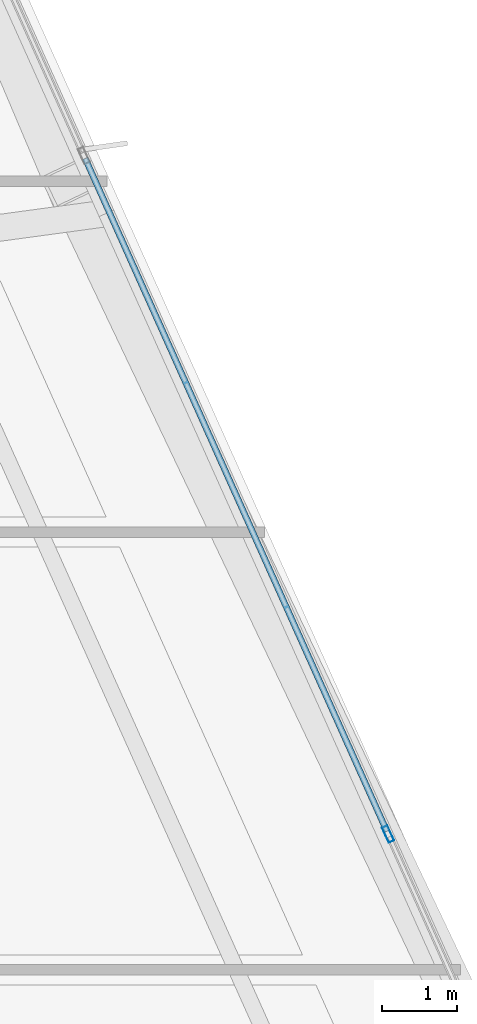
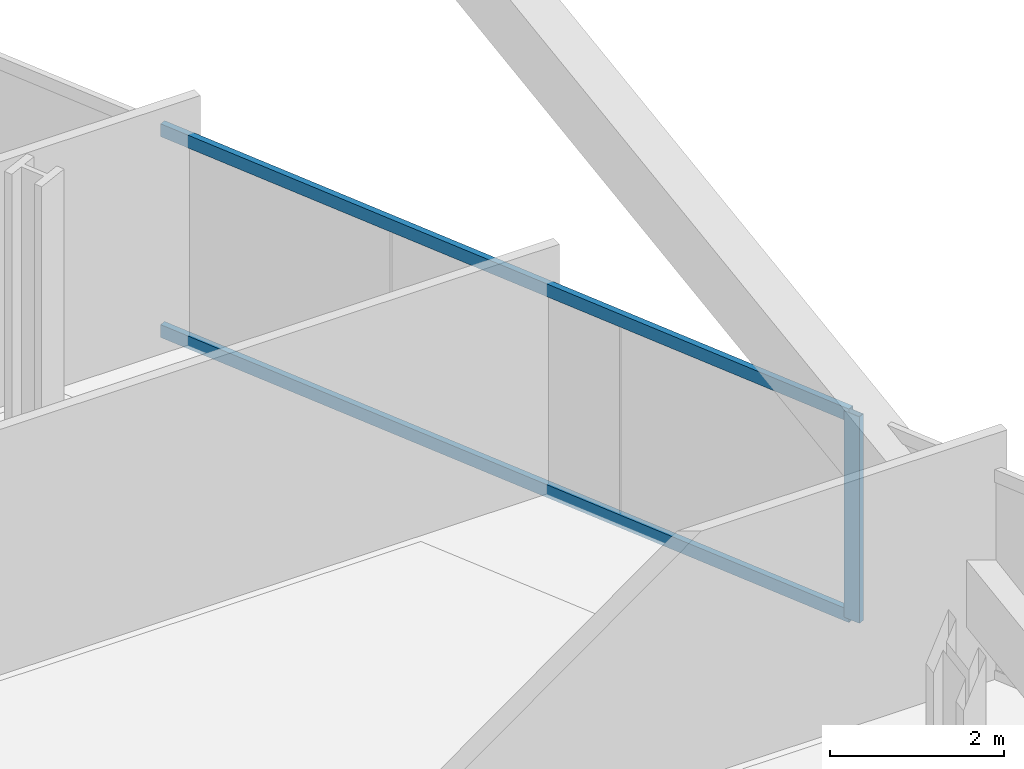
# One storey, part 20 of 38: 3 members, 1 element without a shape of its own.
"""IFC4 building model written with IfcOpenShell, lengths in metres."""

import ifcopenshell
import ifcopenshell.guid

model = None  # the IFC model being written
_history = None  # IfcOwnerHistory: only IFC2X3 demands one
_inside = {}  # id of a spatial element -> (the spatial element, [elements in it])
_under = {}  # id of a project, library or spatial element -> (it, [spatial elements below it])
_declared = {}  # id of a project -> (the project, [libraries it declares])
_typed = {}  # id of a type object -> (the type object, [elements of that type])
_made_of = {}  # id of a material, layer set ... -> (it, [elements and type objects made of it])


def new_model(schema):
    """Start an empty IFC model of exactly this schema.

    Asked for "IFC4X3", IfcOpenShell would pick the latest addendum, in which some entities
    have other attributes; the version numbers below select the first issue.
    IFC2X3 requires an IfcOwnerHistory on every rooted entity: one is made here for all.
    """
    global model, _history
    if schema == "IFC4X3":
        model = ifcopenshell.file(schema_version=(4, 3, 0, 0))
    else:
        model = ifcopenshell.file(schema=schema)
    _inside.clear()
    _under.clear()
    _declared.clear()
    _typed.clear()
    _made_of.clear()
    _history = None
    if model.schema == "IFC2X3":
        org = make("IfcOrganization", Name="unknown")
        user = make(
            "IfcPersonAndOrganization",
            ThePerson=make("IfcPerson", FamilyName="unknown"),
            TheOrganization=org,
        )
        app = make(
            "IfcApplication",
            ApplicationDeveloper=org,
            Version="unknown",
            ApplicationFullName="unknown",
            ApplicationIdentifier="unknown",
        )
        _history = make(
            "IfcOwnerHistory",
            OwningUser=user,
            OwningApplication=app,
            ChangeAction="ADDED",
            CreationDate=0,
        )
    return model


def make(cls, **values):
    """One entity of the class cls with the attributes given. An attribute that is None is left unset."""
    return model.create_entity(
        cls, **{name: value for name, value in values.items() if value is not None}
    )


def rooted(cls, **values):
    """An entity with a GlobalId (a new one), such as an element, a storey or a relation."""
    return make(cls, GlobalId=ifcopenshell.guid.new(), OwnerHistory=_history, **values)


def si_unit(unit_type, name, prefix=None):
    """IfcSIUnit, for example si_unit("LENGTHUNIT", "METRE", prefix="MILLI")."""
    return make("IfcSIUnit", UnitType=unit_type, Prefix=prefix, Name=name)


def assignment(units):
    """IfcUnitAssignment: the units of a project."""
    return None if units is None else make("IfcUnitAssignment", Units=units)


def point(xyz):
    """IfcCartesianPoint."""
    return None if xyz is None else make("IfcCartesianPoint", Coordinates=xyz)


def direction(xyz):
    """IfcDirection."""
    return None if xyz is None else make("IfcDirection", DirectionRatios=xyz)


def frame(location, z_axis=None, x_axis=None):
    """IfcAxis2Placement3D, a coordinate frame: its origin and axes. An axis left out is left unset."""
    return make(
        "IfcAxis2Placement3D",
        Location=point(location),
        Axis=direction(z_axis),
        RefDirection=direction(x_axis),
    )


def frame_2d(location, x_axis=None):
    """IfcAxis2Placement2D, a coordinate frame in the plane: its origin and x axis."""
    return make(
        "IfcAxis2Placement2D", Location=point(location), RefDirection=direction(x_axis)
    )


def origin():
    """The frame at (0, 0, 0) with its axes left unset."""
    return frame((0.0, 0.0, 0.0))


def origin_2d():
    """The frame at (0, 0) in the plane with its x axis left unset."""
    return frame_2d((0.0, 0.0))


def place(relative_to, where):
    """IfcLocalPlacement: puts the frame where relative to a parent placement (None: the world)."""
    return make(
        "IfcLocalPlacement", PlacementRelTo=relative_to, RelativePlacement=where
    )


def context(
    kind, dimensions, precision=None, world=None, true_north=None, identifier=None
):
    """IfcGeometricRepresentationContext, for example the 3D "Model" context."""
    return make(
        "IfcGeometricRepresentationContext",
        ContextIdentifier=identifier,
        ContextType=kind,
        CoordinateSpaceDimension=dimensions,
        Precision=precision,
        WorldCoordinateSystem=world,
        TrueNorth=true_north,
    )


def subcontext(parent, identifier, kind, view, scale=None):
    """IfcGeometricRepresentationSubContext, for example "Body" below "Model"."""
    return make(
        "IfcGeometricRepresentationSubContext",
        ContextIdentifier=identifier,
        ContextType=kind,
        ParentContext=parent,
        TargetScale=scale,
        TargetView=view,
    )


def project(units=None, contexts=None):
    """IfcProject with its units and contexts."""
    return rooted(
        "IfcProject",
        Name="project",
        RepresentationContexts=contexts,
        UnitsInContext=assignment(units),
    )


def spatial(cls, under=None, at=None, **own):
    """A site, building, storey or space (cls), placed at a placement, below another one or the project."""
    s = rooted(cls, ObjectPlacement=at, **own)
    if under is not None:
        _under.setdefault(under.id(), (under, []))[1].append(s)
    return s


def profile(cls, at=None, kind="AREA", **sizes):
    """A parametric profile (cls). Its sizes go by their IFC names, for example OverallWidth=200.0."""
    return make(cls, ProfileType=kind, Position=at, **sizes)


def hollow_rectangle(**sizes):
    """IfcRectangleHollowProfileDef."""
    return profile("IfcRectangleHollowProfileDef", **sizes)


def extrude(swept, where, along, depth):
    """IfcExtrudedAreaSolid: the profile swept, set in the frame where, extruded along a direction by depth."""
    return make(
        "IfcExtrudedAreaSolid",
        SweptArea=swept,
        Position=where,
        ExtrudedDirection=direction(along),
        Depth=depth,
    )


def shape(context_of_items, identifier, shape_type, items):
    """IfcShapeRepresentation: the items that make up one representation, for example the "Body"."""
    return make(
        "IfcShapeRepresentation",
        ContextOfItems=context_of_items,
        RepresentationIdentifier=identifier,
        RepresentationType=shape_type,
        Items=items,
    )


def material(Name=None, Category=None):
    """IfcMaterial."""
    return make("IfcMaterial", Name=Name, Category=Category)


def material_profile(
    of_material, cross_section, Name=None, Category=None, Priority=None
):
    """IfcMaterialProfile: a cross section and its material."""
    return make(
        "IfcMaterialProfile",
        Name=Name,
        Material=of_material,
        Profile=cross_section,
        Priority=Priority,
        Category=Category,
    )


def profile_set(profiles, Name=None, composite=None):
    """IfcMaterialProfileSet."""
    return make(
        "IfcMaterialProfileSet",
        Name=Name,
        MaterialProfiles=profiles,
        CompositeProfile=composite,
    )


def made_of(thing, what):
    """Note that an element or type object is made of a material, layer set ...; save() writes the relation."""
    if what is not None:
        _made_of.setdefault(what.id(), (what, []))[1].append(thing)
    return thing


def type_object(cls, material=None, **own):
    """A type object (cls), such as IfcWallType, which elements share."""
    return made_of(rooted(cls, **own), material)


def element(
    cls,
    number,
    at=None,
    inside=None,
    cuts=None,
    type_object=None,
    material=None,
    context=None,
    identifier="Body",
    shape_type=None,
    held_by="IfcProductDefinitionShape",
    body=None,
    shapes=None,
    **own,
):
    """One element of the class cls, such as IfcWall. Its Tag is "e" and its number.

    at: its placement. inside: the storey or other place that contains it. cuts: it is an
    opening in that element (IfcRelVoidsElement). A single representation is given by context,
    identifier, shape_type and body (its items); several are given by shapes. held_by: the class
    of the entity that holds the representations. save() writes the other relations.
    """
    e = rooted(cls, Tag="e%d" % number, ObjectPlacement=at, **own)
    if body is not None:
        shapes = [shape(context, identifier, shape_type, body)]
    if shapes is not None:
        e.Representation = make(held_by, Representations=shapes)
    if inside is not None:
        _inside.setdefault(inside.id(), (inside, []))[1].append(e)
    if cuts is not None:
        rooted(
            "IfcRelVoidsElement", RelatingBuildingElement=cuts, RelatedOpeningElement=e
        )
    if type_object is not None:
        _typed.setdefault(type_object.id(), (type_object, []))[1].append(e)
    return made_of(e, material)


def aggregate(whole, parts):
    """IfcRelAggregates: a whole, such as a stair, and the parts it consists of."""
    return rooted("IfcRelAggregates", RelatingObject=whole, RelatedObjects=parts)


def save(model, path):
    """Write the relations noted so far, then the file.

    IfcRelAggregates (storeys below a building ...), IfcRelContainedInSpatialStructure (elements
    in a storey), IfcRelDefinesByType, IfcRelAssociatesMaterial and IfcRelDeclares: one each for
    every whole, place, type object, material and project.
    """
    for whole, parts in _under.values():
        aggregate(whole, parts)
    for where, things in _inside.values():
        rooted(
            "IfcRelContainedInSpatialStructure",
            RelatedElements=things,
            RelatingStructure=where,
        )
    for kind, things in _typed.values():
        rooted("IfcRelDefinesByType", RelatedObjects=things, RelatingType=kind)
    for what, things in _made_of.values():
        rooted("IfcRelAssociatesMaterial", RelatedObjects=things, RelatingMaterial=what)
    for by, libraries in _declared.values():
        rooted("IfcRelDeclares", RelatingContext=by, RelatedDefinitions=libraries)
    model.write(path)


model = new_model("IFC4")

# Units and contexts
model_context = context("Model", 3, precision=1e-05, world=origin(), true_north=direction((0.0, 1.0)))
body_context = subcontext(model_context, "Body", "Model", "MODEL_VIEW")
ifc_project = project(units=[si_unit("LENGTHUNIT", "METRE"), si_unit("AREAUNIT", "SQUARE_METRE"), si_unit("VOLUMEUNIT", "CUBIC_METRE"), si_unit("PLANEANGLEUNIT", "RADIAN"), si_unit("MASSUNIT", "GRAM", prefix="KILO")], contexts=[model_context])

# Site, building, storey
site_placement = place(None, origin())
site = spatial("IfcSite", under=ifc_project, at=site_placement, CompositionType="ELEMENT")
building_placement = place(site_placement, origin())
building = spatial("IfcBuilding", under=site, at=building_placement, Name="Haldenkirk Collegiate Tower", CompositionType="ELEMENT")
storey_placement = place(building_placement, frame((0.0, 0.0, 109.199951171875)))
storey = spatial("IfcBuildingStorey", under=building, at=storey_placement, Name="L26", CompositionType="ELEMENT", Elevation=109.199951171875)

# Curtain wall, members
ifc_material = material(Name="Anodised architectural bronze aluminium", Category="aluminium")
curtain_wall_type = type_object("IfcCurtainWallType", Name="CW-SYS1-CONVEX-LOW", PredefinedType="USERDEFINED", material=ifc_material)
curtain_wall_placement = place(storey_placement, origin())
curtain_wall = element("IfcCurtainWall", 1, at=curtain_wall_placement, inside=storey, type_object=curtain_wall_type, Name="L26 Lower tower convex bronze-framed unitised curtain wall", ObjectType="UNITISED CURTAIN WALL", PredefinedType="USERDEFINED")
ifc_material_profile_1 = material_profile(ifc_material, hollow_rectangle(XDim=0.080078125, YDim=0.219970703125, WallThickness=0.0048828125, at=origin_2d()), Name="CW-MUL-1A")
ifc_profile_set_1 = profile_set([ifc_material_profile_1], Name="Anodised architectural bronze aluminium")
member_type_1 = type_object("IfcMemberType", Name="CW-MUL-1A", PredefinedType="MULLION", material=ifc_profile_set_1)
member_1_placement = place(storey_placement, frame((63.599609375, 27.79931640625, 0.0), z_axis=(0.0, 0.0, 1.0), x_axis=(0.912476490018, 0.409129142403, 0.0)))
member_1 = element("IfcMember", 2, at=member_1_placement, type_object=member_type_1, Name="CW-1A mullion 4", PredefinedType="MULLION", context=body_context, shape_type="SweptSolid", body=[
    extrude(hollow_rectangle(XDim=0.080078125, YDim=0.219970703125, WallThickness=0.0048828125, at=origin_2d()), origin(), (0.0, 0.0, 1.0), 2.901123046875),
])
ifc_material_profile_2 = material_profile(ifc_material, hollow_rectangle(XDim=0.080078125, YDim=0.179931640625, WallThickness=0.0048828125, at=origin_2d()), Name="CW-TRN-1A")
ifc_profile_set_2 = profile_set([ifc_material_profile_2], Name="Anodised architectural bronze aluminium")
member_type_2 = type_object("IfcMemberType", Name="CW-TRN-1A", PredefinedType="USERDEFINED", material=ifc_profile_set_2)
member_2_placement = place(storey_placement, frame((59.5859375, 36.75048828125, 0.0400390625), z_axis=(0.409143437623, -0.912470080304, 0.0), x_axis=(0.912470080304, 0.409143437623, 0.0)))
member_2 = element("IfcMember", 3, at=member_2_placement, type_object=member_type_2, Name="CW-1A transom 3.1", ObjectType="TRANSOM", PredefinedType="USERDEFINED", context=body_context, shape_type="SweptSolid", body=[
    extrude(hollow_rectangle(XDim=0.080078125, YDim=0.179931640625, WallThickness=0.0048828125, at=origin_2d()), origin(), (0.0, 0.0, 1.0), 9.77001953125),
])
member_3_placement = place(storey_placement, frame((59.5859375, 36.75048828125, 2.861083984375), z_axis=(0.409143437623, -0.912470080304, 0.0), x_axis=(0.912470080304, 0.409143437623, 0.0)))
member_3 = element("IfcMember", 4, at=member_3_placement, type_object=member_type_2, Name="CW-1A transom 3.2", ObjectType="TRANSOM", PredefinedType="USERDEFINED", context=body_context, shape_type="SweptSolid", body=[
    extrude(hollow_rectangle(XDim=0.080078125, YDim=0.179931640625, WallThickness=0.0048828125, at=origin_2d()), origin(), (0.0, 0.0, 1.0), 9.77001953125),
])
aggregate(curtain_wall, [member_1, member_2, member_3])

save(model, "model.ifc")
